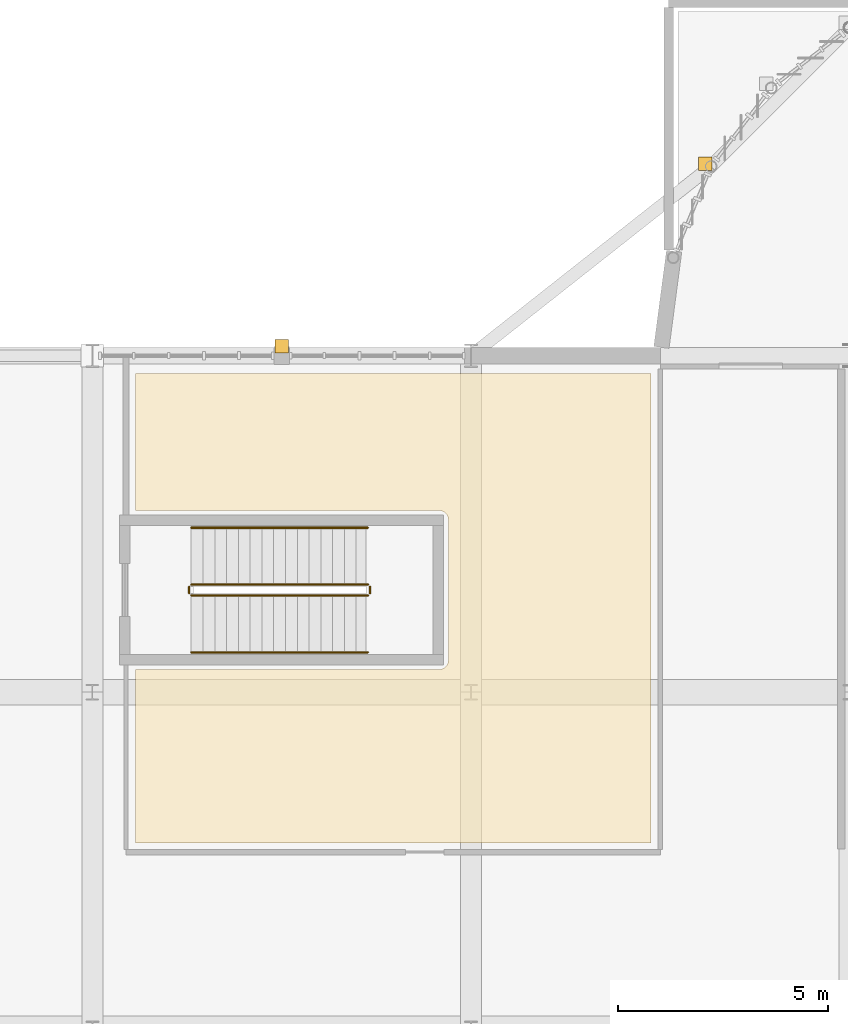
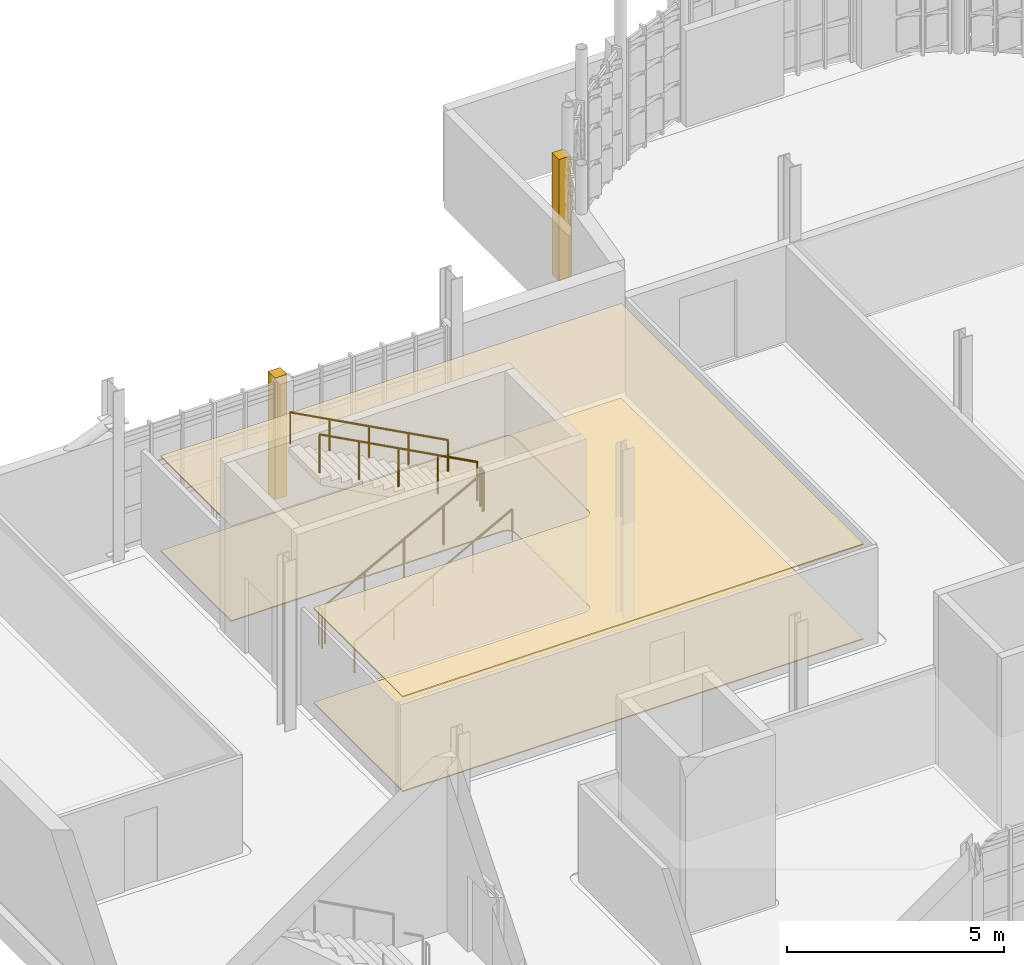
# One storey, part 125 of 128: 6 railings, 4 coverings.
"""IFC4 building model written with IfcOpenShell, lengths in metres."""

from ifc_helpers import new_model, si_unit, direction, frame, origin, origin_2d, place, context, subcontext, project, spatial, polyline, circle, outline, extrude, material, layer, layer_set, type_object, element, save


model = new_model("IFC4")

# Units and contexts
model_context = context("Model", 3, precision=1e-05, world=origin(), true_north=direction((0.0, 1.0)))
body_context = subcontext(model_context, "Body", "Model", "MODEL_VIEW")
ifc_project = project(units=[si_unit("LENGTHUNIT", "METRE"), si_unit("AREAUNIT", "SQUARE_METRE"), si_unit("VOLUMEUNIT", "CUBIC_METRE"), si_unit("PLANEANGLEUNIT", "RADIAN"), si_unit("MASSUNIT", "GRAM", prefix="KILO")], contexts=[model_context])

# Site, building, storey
site_placement = place(None, origin())
site = spatial("IfcSite", under=ifc_project, at=site_placement, CompositionType="ELEMENT")
building_placement = place(site_placement, origin())
building = spatial("IfcBuilding", under=site, at=building_placement, Name="Serraforn Aerial Cableway Station", CompositionType="ELEMENT")
storey_placement = place(building_placement, frame((0.0, 0.0, 9.0)))
storey = spatial("IfcBuildingStorey", under=building, at=storey_placement, Name="L02", CompositionType="ELEMENT", Elevation=9.0)

# Coverings
ifc_material_1 = material(Name="Fluted patinated bronze Art Deco pilaster cladding")
ifc_layer_1 = layer(ifc_material_1, 0.034912109375)
ifc_layer_set_1 = layer_set([ifc_layer_1], Name="Fluted patinated bronze Art Deco pilaster cladding")
covering_type_1 = type_object("IfcCoveringType", Name="COV-CLAD-BRZ", PredefinedType="CLADDING", material=ifc_layer_set_1)
covering_1_placement = place(storey_placement, origin())
element("IfcCovering", 1, at=covering_1_placement, inside=storey, type_object=covering_type_1, Name="Art Deco Bronze Pilaster Cladding CV-L02-N2", PredefinedType="CLADDING", context=body_context, shape_type="SweptSolid", body=[
    extrude(outline(polyline([(40.93994140625, 42.06005859375), (41.260009765625, 42.06005859375), (41.260009765625, 42.3798828125), (40.93994140625, 42.3798828125), (40.93994140625, 42.06005859375)])), origin(), (0.0, 0.0, 1.0), 3.419921875),
])
covering_2_placement = place(storey_placement, origin())
element("IfcCovering", 2, at=covering_2_placement, inside=storey, type_object=covering_type_1, Name="Art Deco Bronze Pilaster Cladding AP-L02-R2", PredefinedType="CLADDING", context=body_context, shape_type="SweptSolid", body=[
    extrude(outline(polyline([(51.002685546875, 46.3994140625), (51.322509765625, 46.3994140625), (51.322509765625, 46.71923828125), (51.002685546875, 46.71923828125), (51.002685546875, 46.3994140625)])), origin(), (0.0, 0.0, 1.0), 3.419921875),
])
ifc_material_2 = material(Name="Slatted Catalan chestnut acoustic ceiling")
ifc_layer_2 = layer(ifc_material_2, 0.034912109375)
ifc_layer_set_2 = layer_set([ifc_layer_2], Name="Slatted Catalan chestnut acoustic ceiling")
covering_type_2 = type_object("IfcCoveringType", Name="COV-CLG-WD", PredefinedType="CEILING", material=ifc_layer_set_2)
covering_3_placement = place(storey_placement, frame((0.0, 0.0, 2.659912109375)))
element("IfcCovering", 3, at=covering_3_placement, inside=storey, type_object=covering_type_2, Name="Suspended Ceiling L02-04", PredefinedType="CEILING", context=body_context, shape_type="SweptSolid", body=[
    extrude(outline(polyline([(37.6201171875, 41.580078125), (49.8798828125, 41.580078125), (49.8798828125, 30.419921875), (37.6201171875, 30.419921875), (37.6201171875, 34.5400390625), (44.840087890625, 34.5400390625), (44.861572265625, 34.541015625), (44.8828125, 34.544189453125), (44.90380859375, 34.549560546875), (44.92431640625, 34.556640625), (44.943603515625, 34.56591796875), (44.962158203125, 34.5771484375), (44.9794921875, 34.58984375), (44.99560546875, 34.6044921875), (45.010009765625, 34.620361328125), (45.02294921875, 34.6376953125), (45.033935546875, 34.65625), (45.043212890625, 34.67578125), (45.050537109375, 34.696044921875), (45.055908203125, 34.717041015625), (45.058837890625, 34.73828125), (45.06005859375, 34.760009765625), (45.06005859375, 38.10009765625), (45.058837890625, 38.12158203125), (45.055908203125, 38.142822265625), (45.050537109375, 38.163818359375), (45.043212890625, 38.18408203125), (45.033935546875, 38.20361328125), (45.02294921875, 38.22216796875), (45.010009765625, 38.239501953125), (44.99560546875, 38.255615234375), (44.9794921875, 38.27001953125), (44.962158203125, 38.282958984375), (44.943603515625, 38.2939453125), (44.92431640625, 38.30322265625), (44.90380859375, 38.310546875), (44.8828125, 38.31591796875), (44.861572265625, 38.31884765625), (44.840087890625, 38.320068359375), (37.6201171875, 38.320068359375), (37.6201171875, 41.580078125)])), origin(), (0.0, 0.0, 1.0), 0.03515625),
])
ifc_material_3 = material(Name="Honed Montjuic limestone flooring", Category="masonry")
ifc_layer_3 = layer(ifc_material_3, 0.030029296875)
ifc_layer_set_3 = layer_set([ifc_layer_3], Name="Honed Montjuic limestone flooring")
covering_type_3 = type_object("IfcCoveringType", Name="COV-FLR-STN", PredefinedType="FLOORING", material=ifc_layer_set_3)
covering_4_placement = place(storey_placement, origin())
element("IfcCovering", 4, at=covering_4_placement, inside=storey, type_object=covering_type_3, Name="Flooring L02-04", PredefinedType="FLOORING", context=body_context, shape_type="SweptSolid", body=[
    extrude(outline(polyline([(37.6201171875, 41.580078125), (49.8798828125, 41.580078125), (49.8798828125, 30.419921875), (37.6201171875, 30.419921875), (37.6201171875, 34.5400390625), (44.840087890625, 34.5400390625), (44.861572265625, 34.541015625), (44.8828125, 34.544189453125), (44.90380859375, 34.549560546875), (44.92431640625, 34.556640625), (44.943603515625, 34.56591796875), (44.962158203125, 34.5771484375), (44.9794921875, 34.58984375), (44.99560546875, 34.6044921875), (45.010009765625, 34.620361328125), (45.02294921875, 34.6376953125), (45.033935546875, 34.65625), (45.043212890625, 34.67578125), (45.050537109375, 34.696044921875), (45.055908203125, 34.717041015625), (45.058837890625, 34.73828125), (45.06005859375, 34.760009765625), (45.06005859375, 38.10009765625), (45.058837890625, 38.12158203125), (45.055908203125, 38.142822265625), (45.050537109375, 38.163818359375), (45.043212890625, 38.18408203125), (45.033935546875, 38.20361328125), (45.02294921875, 38.22216796875), (45.010009765625, 38.239501953125), (44.99560546875, 38.255615234375), (44.9794921875, 38.27001953125), (44.962158203125, 38.282958984375), (44.943603515625, 38.2939453125), (44.92431640625, 38.30322265625), (44.90380859375, 38.310546875), (44.8828125, 38.31591796875), (44.861572265625, 38.31884765625), (44.840087890625, 38.320068359375), (37.6201171875, 38.320068359375), (37.6201171875, 41.580078125)])), origin(), (0.0, 0.0, 1.0), 0.030029296875),
])

# Railings
ifc_material_4 = material(Name="Patinated bronze stair guardrail")
ifc_layer_4 = layer(ifc_material_4, 0.050048828125)
ifc_layer_set_4 = layer_set([ifc_layer_4], Name="Patinated bronze stair guardrail")
railing_type_1 = type_object("IfcRailingType", Name="RL-STR-GRD", PredefinedType="GUARDRAIL", material=ifc_layer_set_4)
railing_1_placement = place(storey_placement, frame((38.949951171875, 36.300048828125, 0.14990234375)))
element("IfcRailing", 5, at=railing_1_placement, inside=storey, type_object=railing_type_1, Name="L02 ST-04 stair guard 1", PredefinedType="GUARDRAIL", context=body_context, shape_type="SweptSolid", body=[
    extrude(circle(Radius=0.02392578125, at=origin_2d()), frame((0.0, 0.0, 1.076171875), z_axis=(0.881477684796, 0.0, 0.472225678258), x_axis=(0.0, 1.0, 0.0)), (0.0, 0.0, 1.0), 4.7646484375),
    extrude(circle(Radius=0.02099609375, at=origin_2d()), origin(), (0.0, 0.0, 1.0), 1.052001953125),
    extrude(circle(Radius=0.02099609375, at=origin_2d()), frame((1.050048828125, 0.0, 0.5625)), (0.0, 0.0, 1.0), 1.052001953125),
    extrude(circle(Radius=0.02099609375, at=origin_2d()), frame((2.10009765625, 0.0, 1.125)), (0.0, 0.0, 1.0), 1.052001953125),
    extrude(circle(Radius=0.02099609375, at=origin_2d()), frame((3.14990234375, 0.0, 1.6875)), (0.0, 0.0, 1.0), 1.052001953125),
    extrude(circle(Radius=0.02099609375, at=origin_2d()), frame((4.199951171875, 0.0, 2.25)), (0.0, 0.0, 1.0), 1.052001953125),
])
railing_2_placement = place(storey_placement, frame((43.199951171875, 36.35009765625, 2.39990234375)))
element("IfcRailing", 6, at=railing_2_placement, inside=storey, type_object=railing_type_1, Name="L02 ST-04 stair guard 2", PredefinedType="GUARDRAIL", context=body_context, shape_type="SweptSolid", body=[
    extrude(circle(Radius=0.02392578125, at=origin_2d()), frame((0.0, 0.0, 1.076171875), z_axis=(0.0, 1.0, 0.0), x_axis=(-1.0, 0.0, 0.0)), (0.0, 0.0, 1.0), 0.159912109375),
    extrude(circle(Radius=0.02099609375, at=origin_2d()), origin(), (0.0, 0.0, 1.0), 1.052001953125),
    extrude(circle(Radius=0.02099609375, at=origin_2d()), frame((0.0, 0.159912109375, 0.0)), (0.0, 0.0, 1.0), 1.052001953125),
])
railing_3_placement = place(storey_placement, frame((43.14990234375, 36.56005859375, 2.550048828125)))
element("IfcRailing", 7, at=railing_3_placement, inside=storey, type_object=railing_type_1, Name="L02 ST-04 stair guard 3", PredefinedType="GUARDRAIL", context=body_context, shape_type="SweptSolid", body=[
    extrude(circle(Radius=0.02392578125, at=origin_2d()), frame((0.0, 0.0, 1.076171875), z_axis=(-0.881477684796, 0.0, 0.472225678258), x_axis=(0.0, -1.0, 0.0)), (0.0, 0.0, 1.0), 4.7646484375),
    extrude(circle(Radius=0.02099609375, at=origin_2d()), origin(), (0.0, 0.0, 1.0), 1.052001953125),
    extrude(circle(Radius=0.02099609375, at=origin_2d()), frame((-1.050048828125, 0.0, 0.5625)), (0.0, 0.0, 1.0), 1.052001953125),
    extrude(circle(Radius=0.02099609375, at=origin_2d()), frame((-2.10009765625, 0.0, 1.125)), (0.0, 0.0, 1.0), 1.052001953125),
    extrude(circle(Radius=0.02099609375, at=origin_2d()), frame((-3.14990234375, 0.0, 1.6875)), (0.0, 0.0, 1.0), 1.052001953125),
    extrude(circle(Radius=0.02099609375, at=origin_2d()), frame((-4.199951171875, 0.0, 2.25)), (0.0, 0.0, 1.0), 1.052001953125),
])
railing_4_placement = place(storey_placement, frame((38.89990234375, 36.35009765625, 0.0)))
element("IfcRailing", 8, at=railing_4_placement, inside=storey, type_object=railing_type_1, Name="L02 ST-04 stair guard 4", PredefinedType="GUARDRAIL", context=body_context, shape_type="SweptSolid", body=[
    extrude(circle(Radius=0.02392578125, at=origin_2d()), frame((0.0, 0.0, 1.076171875), z_axis=(0.0, 1.0, 0.0), x_axis=(-1.0, 0.0, 0.0)), (0.0, 0.0, 1.0), 0.159912109375),
    extrude(circle(Radius=0.02099609375, at=origin_2d()), origin(), (0.0, 0.0, 1.0), 1.052001953125),
    extrude(circle(Radius=0.02099609375, at=origin_2d()), frame((0.0, 0.159912109375, 0.0)), (0.0, 0.0, 1.0), 1.052001953125),
])
ifc_material_5 = material(Name="Brushed bronze tubular handrail")
ifc_layer_5 = layer(ifc_material_5, 0.048095703125)
ifc_layer_set_5 = layer_set([ifc_layer_5], Name="Brushed bronze tubular handrail")
railing_type_2 = type_object("IfcRailingType", Name="RL-STR-HDR", PredefinedType="HANDRAIL", material=ifc_layer_set_5)
railing_5_placement = place(storey_placement, frame((38.949951171875, 34.949951171875, 0.14990234375)))
element("IfcRailing", 9, at=railing_5_placement, inside=storey, type_object=railing_type_2, Name="L02 ST-04 stair handrail 1", PredefinedType="HANDRAIL", context=body_context, shape_type="SweptSolid", body=[
    extrude(circle(Radius=0.02392578125, at=origin_2d()), frame((0.0, 0.0, 0.8759765625), z_axis=(0.881477684796, 0.0, 0.472225678258), x_axis=(0.0, 1.0, 0.0)), (0.0, 0.0, 1.0), 4.7646484375),
    extrude(circle(Radius=0.02099609375, at=origin_2d()), origin(), (0.0, 0.0, 1.0), 0.851806640625),
    extrude(circle(Radius=0.02099609375, at=origin_2d()), frame((1.050048828125, 0.0, 0.5625)), (0.0, 0.0, 1.0), 0.851806640625),
    extrude(circle(Radius=0.02099609375, at=origin_2d()), frame((2.10009765625, 0.0, 1.125)), (0.0, 0.0, 1.0), 0.851806640625),
    extrude(circle(Radius=0.02099609375, at=origin_2d()), frame((3.14990234375, 0.0, 1.6875)), (0.0, 0.0, 1.0), 0.851806640625),
    extrude(circle(Radius=0.02099609375, at=origin_2d()), frame((4.199951171875, 0.0, 2.25)), (0.0, 0.0, 1.0), 0.851806640625),
])
railing_6_placement = place(storey_placement, frame((43.14990234375, 37.909912109375, 2.550048828125)))
element("IfcRailing", 10, at=railing_6_placement, inside=storey, type_object=railing_type_2, Name="L02 ST-04 stair handrail 2", PredefinedType="HANDRAIL", context=body_context, shape_type="SweptSolid", body=[
    extrude(circle(Radius=0.02392578125, at=origin_2d()), frame((0.0, 0.0, 0.8759765625), z_axis=(-0.881477684796, 0.0, 0.472225678258), x_axis=(0.0, -1.0, 0.0)), (0.0, 0.0, 1.0), 4.7646484375),
    extrude(circle(Radius=0.02099609375, at=origin_2d()), origin(), (0.0, 0.0, 1.0), 0.851806640625),
    extrude(circle(Radius=0.02099609375, at=origin_2d()), frame((-1.050048828125, 0.0, 0.5625)), (0.0, 0.0, 1.0), 0.851806640625),
    extrude(circle(Radius=0.02099609375, at=origin_2d()), frame((-2.10009765625, 0.0, 1.125)), (0.0, 0.0, 1.0), 0.851806640625),
    extrude(circle(Radius=0.02099609375, at=origin_2d()), frame((-3.14990234375, 0.0, 1.6875)), (0.0, 0.0, 1.0), 0.851806640625),
    extrude(circle(Radius=0.02099609375, at=origin_2d()), frame((-4.199951171875, 0.0, 2.25)), (0.0, 0.0, 1.0), 0.851806640625),
])

save(model, "model.ifc")
